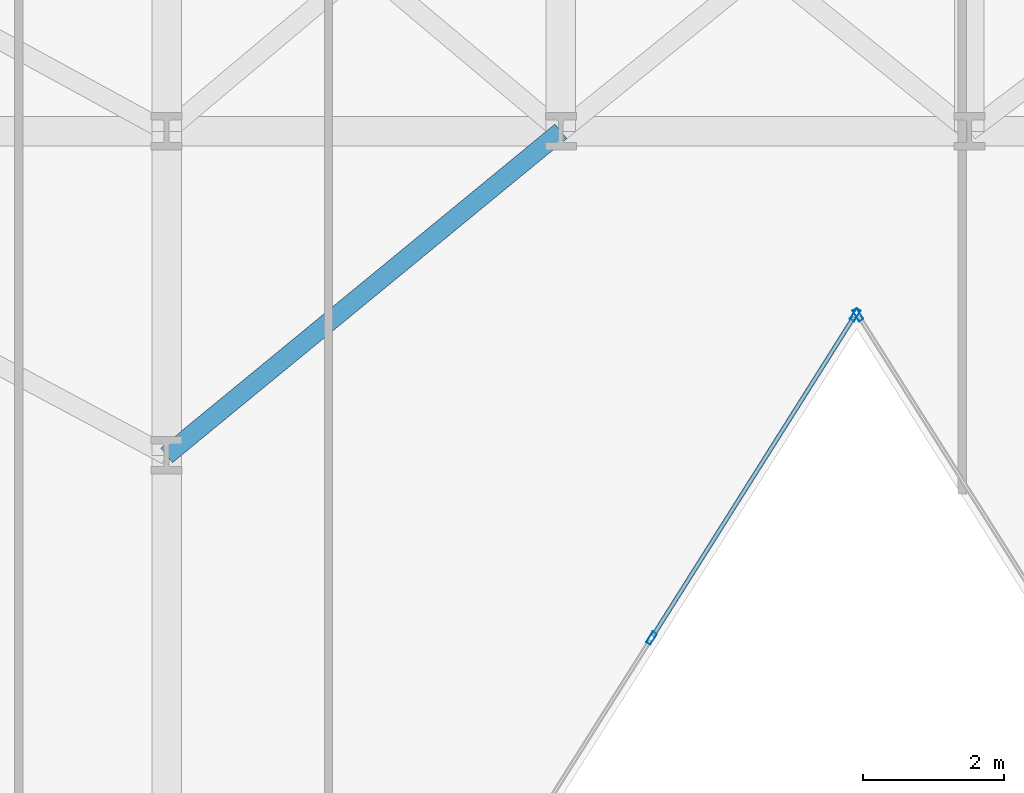
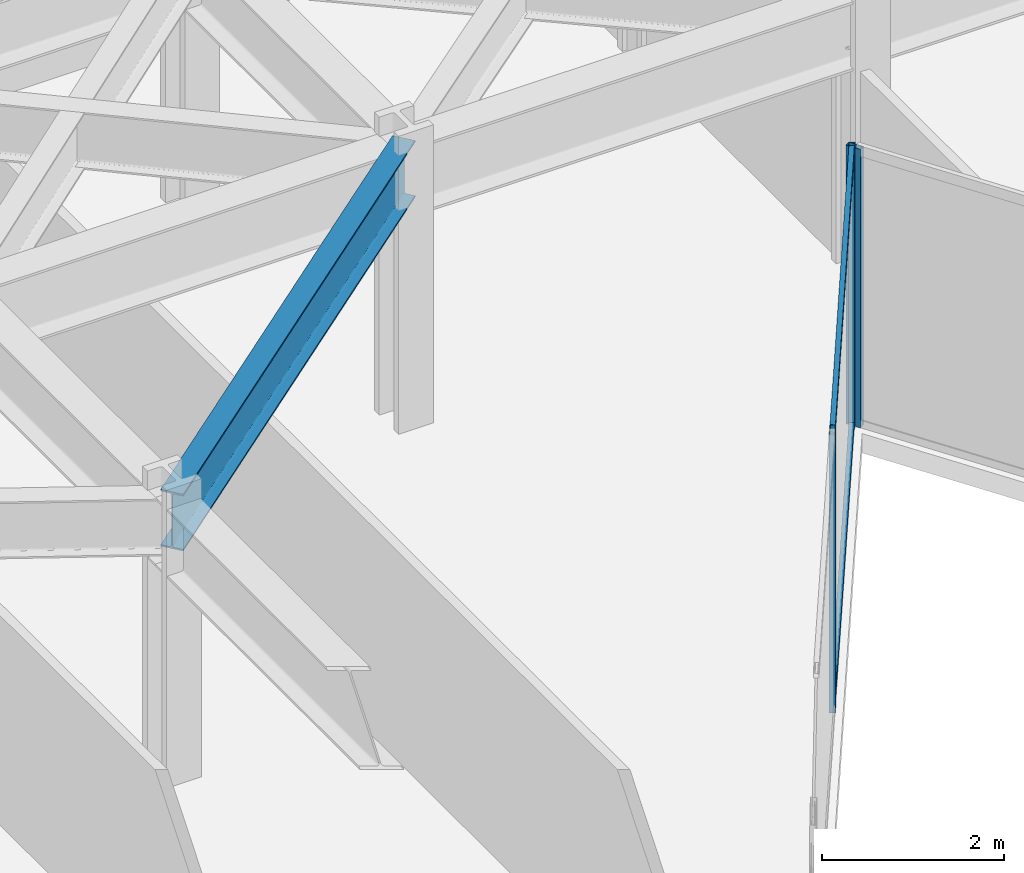
# One storey, part 10 of 25: 5 members, 1 beam, 2 elements without a shape of their own.
"""IFC4 building model written with IfcOpenShell, lengths in metres."""

from ifc_helpers import new_model, si_unit, direction, frame, origin, origin_2d, place, context, subcontext, project, spatial, hollow_rectangle, i_section, extrude, material, layer, layer_set, material_profile, profile_set, type_object, element, aggregate, save


model = new_model("IFC4")

# Units and contexts
model_context = context("Model", 3, precision=1e-05, world=origin(), true_north=direction((0.0, 1.0)))
body_context = subcontext(model_context, "Body", "Model", "MODEL_VIEW")
ifc_project = project(units=[si_unit("LENGTHUNIT", "METRE"), si_unit("AREAUNIT", "SQUARE_METRE"), si_unit("VOLUMEUNIT", "CUBIC_METRE"), si_unit("PLANEANGLEUNIT", "RADIAN"), si_unit("MASSUNIT", "GRAM", prefix="KILO")], contexts=[model_context])

# Site, building, storey
site_placement = place(None, origin())
site = spatial("IfcSite", under=ifc_project, at=site_placement, CompositionType="ELEMENT")
building_placement = place(site_placement, origin())
building = spatial("IfcBuilding", under=site, at=building_placement, Name="Kravanh Interchange Tower", CompositionType="ELEMENT")
storey_placement = place(building_placement, frame((0.0, 0.0, 49.5)))
storey = spatial("IfcBuildingStorey", under=building, at=storey_placement, Name="L11", CompositionType="ELEMENT", Elevation=49.5)

# Curtain wall, member
ifc_material_1 = material(Name="Anodised Bronze Aluminium", Category="aluminium")
ifc_layer = layer(ifc_material_1, 0.179931640625)
ifc_layer_set = layer_set([ifc_layer], Name="Unitised Curtain Wall System CW-Z1 Lower Office")
curtain_wall_type = type_object("IfcCurtainWallType", Name="Unitised Curtain Wall System CW-Z1 Lower Office", PredefinedType="NOTDEFINED", material=ifc_layer_set)
curtain_wall_1_placement = place(storey_placement, origin())
curtain_wall_1 = element("IfcCurtainWall", 1, at=curtain_wall_1_placement, inside=storey, type_object=curtain_wall_type, Name="L11 Unitised Curtain Wall CW-L11-04", PredefinedType="NOTDEFINED")
ifc_material_2 = material(Name="Anodised Bronze Aluminium", Category="aluminium")
ifc_material_profile_1 = material_profile(ifc_material_2, hollow_rectangle(XDim=0.070068359375, YDim=0.179931640625, WallThickness=0.00390625, at=origin_2d()), Name="ALU70X180X4")
ifc_profile_set_1 = profile_set([ifc_material_profile_1], Name="Anodised Bronze Aluminium")
member_type_1 = type_object("IfcMemberType", Name="Curtain Wall Mullion ALU70X180X4 Bronze", PredefinedType="MULLION", material=ifc_profile_set_1)
member_1_placement = place(storey_placement, frame((37.0185546875, 24.1953125, 0.0), z_axis=(0.0, 0.0, 1.0), x_axis=(-0.845925530786, -0.53330103728, 0.0)))
member_1 = element("IfcMember", 2, at=member_1_placement, type_object=member_type_1, Name="CW-Z1 mullion 6", PredefinedType="MULLION", context=body_context, shape_type="SweptSolid", body=[
    extrude(hollow_rectangle(XDim=0.070068359375, YDim=0.179931640625, WallThickness=0.00390625, at=origin_2d()), origin(), (0.0, 0.0, 1.0), 3.739990234375),
])
aggregate(curtain_wall_1, [member_1])

# Curtain wall, members
curtain_wall_2_placement = place(storey_placement, origin())
curtain_wall_2 = element("IfcCurtainWall", 3, at=curtain_wall_2_placement, inside=storey, type_object=curtain_wall_type, Name="L11 Unitised Curtain Wall CW-L11-05", PredefinedType="NOTDEFINED")
member_2_placement = place(storey_placement, frame((36.9814453125, 24.1953125, 0.0), z_axis=(0.0, 0.0, 1.0), x_axis=(0.845925530786, -0.53330103728, 0.0)))
member_2 = element("IfcMember", 4, at=member_2_placement, type_object=member_type_1, Name="CW-Z1 mullion 1", PredefinedType="MULLION", context=body_context, shape_type="SweptSolid", body=[
    extrude(hollow_rectangle(XDim=0.070068359375, YDim=0.179931640625, WallThickness=0.00390625, at=origin_2d()), origin(), (0.0, 0.0, 1.0), 3.739990234375),
])
member_3_placement = place(storey_placement, frame((34.086669921875, 19.60400390625, 0.0), z_axis=(0.0, 0.0, 1.0), x_axis=(0.845925530786, -0.53330103728, 0.0)))
member_3 = element("IfcMember", 5, at=member_3_placement, type_object=member_type_1, Name="CW-Z1 mullion 2", PredefinedType="MULLION", context=body_context, shape_type="SweptSolid", body=[
    extrude(hollow_rectangle(XDim=0.070068359375, YDim=0.179931640625, WallThickness=0.00390625, at=origin_2d()), origin(), (0.0, 0.0, 1.0), 3.739990234375),
])
ifc_material_3 = material(Name="Anodised Bronze Aluminium", Category="aluminium")
ifc_material_profile_2 = material_profile(ifc_material_3, hollow_rectangle(XDim=0.06005859375, YDim=0.139892578125, WallThickness=0.00390625, at=origin_2d()), Name="ALU60X140X4")
ifc_profile_set_2 = profile_set([ifc_material_profile_2], Name="Anodised Bronze Aluminium")
member_type_2 = type_object("IfcMemberType", Name="Curtain Wall Transom ALU60X140X4 Bronze", PredefinedType="USERDEFINED", material=ifc_profile_set_2)
member_4_placement = place(storey_placement, frame((36.962646484375, 24.165771484375, 0.030029296875), z_axis=(-0.533288163518, -0.845933646719, 0.0), x_axis=(0.845933646719, -0.533288163518, 0.0)))
member_4 = element("IfcMember", 6, at=member_4_placement, type_object=member_type_2, Name="CW-Z1 transom 1.1", ObjectType="TRANSOM", PredefinedType="USERDEFINED", context=body_context, shape_type="SweptSolid", body=[
    extrude(hollow_rectangle(XDim=0.06005859375, YDim=0.139892578125, WallThickness=0.00390625, at=origin_2d()), origin(), (0.0, 0.0, 1.0), 5.357666015625),
])
member_5_placement = place(storey_placement, frame((36.962646484375, 24.165771484375, 3.7099609375), z_axis=(-0.533288163518, -0.845933646719, 0.0), x_axis=(0.845933646719, -0.533288163518, 0.0)))
member_5 = element("IfcMember", 7, at=member_5_placement, type_object=member_type_2, Name="CW-Z1 transom 1.2", ObjectType="TRANSOM", PredefinedType="USERDEFINED", context=body_context, shape_type="SweptSolid", body=[
    extrude(hollow_rectangle(XDim=0.06005859375, YDim=0.139892578125, WallThickness=0.00390625, at=origin_2d()), origin(), (0.0, 0.0, 1.0), 5.357666015625),
])
aggregate(curtain_wall_2, [member_2, member_3, member_4, member_5])

# Beam
ifc_material_4 = material(Name="Structural Steel S355", Category="steel")
ifc_material_profile_3 = material_profile(ifc_material_4, i_section(OverallWidth=0.26708984375, OverallDepth=0.761962890625, WebThickness=0.014404296875, FlangeThickness=0.021484375, FilletRadius=0.02490234375, at=origin_2d()), Name="W30X116")
ifc_profile_set_3 = profile_set([ifc_material_profile_3], Name="Structural Steel S355")
beam_type = type_object("IfcBeamType", Name="Floor Spandrel W30X116 Structural Steel S355", PredefinedType="SPANDREL", material=ifc_profile_set_3)
beam_placement = place(storey_placement, frame((27.199951171875, 22.199951171875, 3.35888671875), z_axis=(0.772725074305, 0.634740860147, 0.0), x_axis=(-0.634740860147, 0.772725074305, 0.0)))
element("IfcBeam", 8, at=beam_placement, inside=storey, type_object=beam_type, Name="L11 Perimeter Spandrel 55", PredefinedType="SPANDREL", context=body_context, shape_type="SweptSolid", body=[
    extrude(i_section(OverallWidth=0.26708984375, OverallDepth=0.761962890625, WebThickness=0.014404296875, FlangeThickness=0.021484375, FilletRadius=0.02490234375, at=origin_2d()), origin(), (0.0, 0.0, 1.0), 7.247314453125),
])

save(model, "model.ifc")
